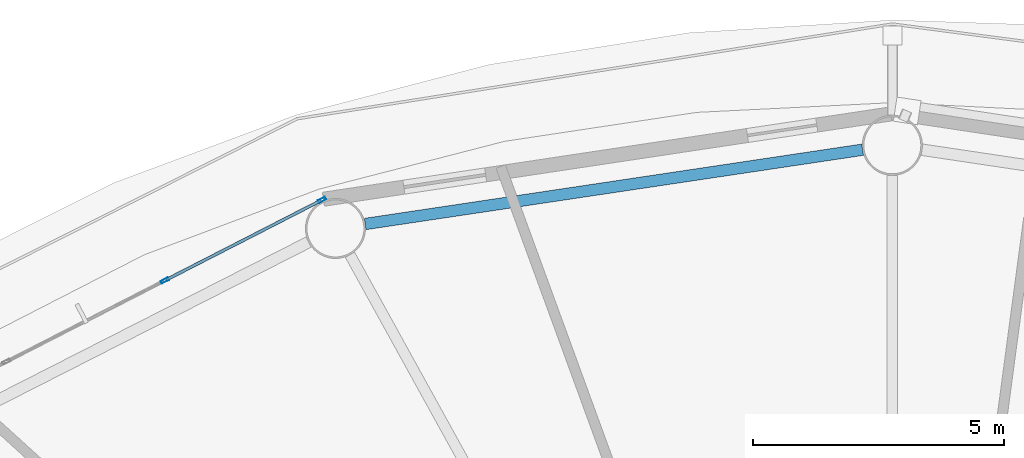
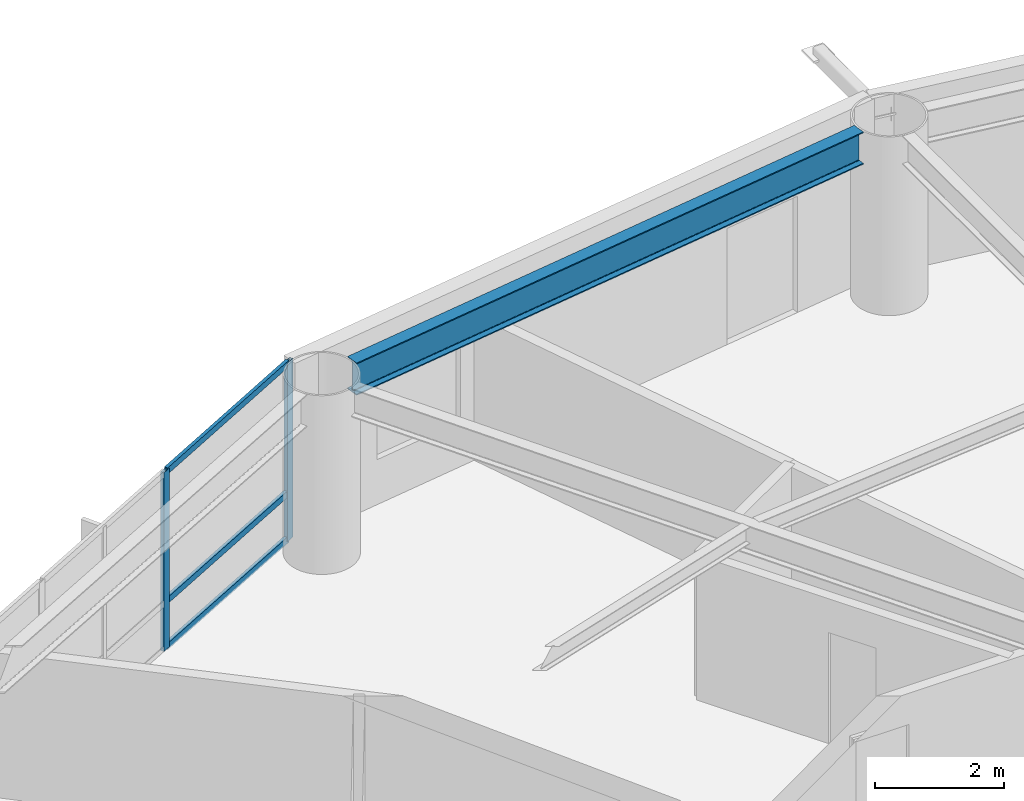
# One storey, part 10 of 24: 5 members, 1 beam, 1 element without a shape of its own.
"""IFC4 building model written with IfcOpenShell, lengths in metres."""

from ifc_helpers import new_model, si_unit, direction, frame, origin, origin_2d, place, context, subcontext, project, spatial, hollow_rectangle, i_section, extrude, material, layer, layer_set, material_profile, profile_set, type_object, element, aggregate, save


model = new_model("IFC4")

# Units and contexts
model_context = context("Model", 3, precision=1e-05, world=origin(), true_north=direction((0.0, 1.0)))
body_context = subcontext(model_context, "Body", "Model", "MODEL_VIEW")
ifc_project = project(units=[si_unit("LENGTHUNIT", "METRE"), si_unit("AREAUNIT", "SQUARE_METRE"), si_unit("VOLUMEUNIT", "CUBIC_METRE"), si_unit("PLANEANGLEUNIT", "RADIAN"), si_unit("MASSUNIT", "GRAM", prefix="KILO")], contexts=[model_context])

# Site, building, storey
site_placement = place(None, origin())
site = spatial("IfcSite", under=ifc_project, at=site_placement, CompositionType="ELEMENT")
building_placement = place(site_placement, origin())
building = spatial("IfcBuilding", under=site, at=building_placement, Name="Sarneth Arch Tower", CompositionType="ELEMENT")
storey_placement = place(building_placement, frame((0.0, 0.0, 112.800048828125)))
storey = spatial("IfcBuildingStorey", under=building, at=storey_placement, Name="L28", CompositionType="ELEMENT", Elevation=112.800048828125)

# Beam
ifc_material_1 = material(Name="Steel S355", Category="steel")
ifc_material_profile_1 = material_profile(ifc_material_1, i_section(OverallWidth=0.22900390625, OverallDepth=0.612060546875, WebThickness=0.011962890625, FlangeThickness=0.01953125, FilletRadius=0.01904296875, at=origin_2d()), Name="W610x125")
ifc_profile_set_1 = profile_set([ifc_material_profile_1], Name="Steel S355")
beam_type = type_object("IfcBeamType", Name="BM-SPAN-610C", PredefinedType="SPANDREL", material=ifc_profile_set_1)
beam_placement = place(storey_placement, frame((47.406494140625, 63.71142578125, 3.073974609375), z_axis=(-0.989028613319, -0.147724073992, 0.0), x_axis=(0.147724073992, -0.989028613319, 0.0)))
element("IfcBeam", 1, at=beam_placement, inside=storey, type_object=beam_type, Name="L28 Perimeter spandrel beam 05", PredefinedType="SPANDREL", context=body_context, shape_type="SweptSolid", body=[
    extrude(i_section(OverallWidth=0.22900390625, OverallDepth=0.612060546875, WebThickness=0.011962890625, FlangeThickness=0.01953125, FilletRadius=0.01904296875, at=origin_2d()), origin(), (0.0, 0.0, 1.0), 10.033447265625),
])

# Curtain wall, members
ifc_material_2 = material(Name="Anodised aluminium Type AA25 and solar-control low-e laminated IGU", Category="aluminium")
ifc_layer = layer(ifc_material_2, 0.159912109375)
ifc_layer_set = layer_set([ifc_layer], Name="Anodised aluminium Type AA25 and solar-control low-e laminated IGU")
curtain_wall_type = type_object("IfcCurtainWallType", Name="CW-HOTEL-MID", PredefinedType="NOTDEFINED", material=ifc_layer_set)
curtain_wall_placement = place(storey_placement, origin())
curtain_wall = element("IfcCurtainWall", 2, at=curtain_wall_placement, inside=storey, type_object=curtain_wall_type, Name="L28 Unitised curtain wall facet 06", PredefinedType="NOTDEFINED")
ifc_material_3 = material(Name="Anodised Aluminium 6063-T6", Category="aluminium")
ifc_material_profile_2 = material_profile(ifc_material_3, hollow_rectangle(XDim=0.06005859375, YDim=0.159912109375, WallThickness=0.00390625, at=origin_2d()), Name="AL-MULL-160x60x4")
ifc_profile_set_2 = profile_set([ifc_material_profile_2], Name="Anodised Aluminium 6063-T6")
member_type_1 = type_object("IfcMemberType", Name="CW-MULLION", PredefinedType="MULLION", material=ifc_profile_set_2)
member_1_placement = place(storey_placement, frame((36.6220703125, 62.708984375, 0.0), z_axis=(0.0, 0.0, 1.0), x_axis=(0.456031365356, -0.889963703649, 0.0)))
member_1 = element("IfcMember", 3, at=member_1_placement, type_object=member_type_1, Name="CW-SYS-4 mullion 1", PredefinedType="MULLION", context=body_context, shape_type="SweptSolid", body=[
    extrude(hollow_rectangle(XDim=0.06005859375, YDim=0.159912109375, WallThickness=0.00390625, at=origin_2d()), origin(), (0.0, 0.0, 1.0), 3.3798828125),
])
member_2_placement = place(storey_placement, frame((33.48583984375, 61.101806640625, 0.0), z_axis=(0.0, 0.0, 1.0), x_axis=(0.456031365356, -0.889963703649, 0.0)))
member_2 = element("IfcMember", 4, at=member_2_placement, type_object=member_type_1, Name="CW-SYS-4 mullion 2", PredefinedType="MULLION", context=body_context, shape_type="SweptSolid", body=[
    extrude(hollow_rectangle(XDim=0.06005859375, YDim=0.159912109375, WallThickness=0.00390625, at=origin_2d()), origin(), (0.0, 0.0, 1.0), 3.3798828125),
])
ifc_material_4 = material(Name="Anodised Aluminium 6063-T6", Category="aluminium")
ifc_material_profile_3 = material_profile(ifc_material_4, hollow_rectangle(XDim=0.06005859375, YDim=0.1201171875, WallThickness=0.00390625, at=origin_2d()), Name="AL-TRAN-120x60x4")
ifc_profile_set_3 = profile_set([ifc_material_profile_3], Name="Anodised Aluminium 6063-T6")
member_type_2 = type_object("IfcMemberType", Name="CW-TRANSOM", PredefinedType="USERDEFINED", material=ifc_profile_set_3)
member_3_placement = place(storey_placement, frame((36.595458984375, 62.6953125, 0.030029296875), z_axis=(-0.889957563627, -0.456043347658, 0.0), x_axis=(0.456043347658, -0.889957563627, 0.0)))
member_3 = element("IfcMember", 5, at=member_3_placement, type_object=member_type_2, Name="CW-SYS-4 transom 1.1", ObjectType="TRANSOM", PredefinedType="USERDEFINED", context=body_context, shape_type="SweptSolid", body=[
    extrude(hollow_rectangle(XDim=0.06005859375, YDim=0.1201171875, WallThickness=0.00390625, at=origin_2d()), origin(), (0.0, 0.0, 1.0), 3.464111328125),
])
member_4_placement = place(storey_placement, frame((36.595458984375, 62.6953125, 0.89990234375), z_axis=(-0.889957563627, -0.456043347658, 0.0), x_axis=(0.456043347658, -0.889957563627, 0.0)))
member_4 = element("IfcMember", 6, at=member_4_placement, type_object=member_type_2, Name="CW-SYS-4 transom 1.2", ObjectType="TRANSOM", PredefinedType="USERDEFINED", context=body_context, shape_type="SweptSolid", body=[
    extrude(hollow_rectangle(XDim=0.06005859375, YDim=0.1201171875, WallThickness=0.00390625, at=origin_2d()), origin(), (0.0, 0.0, 1.0), 3.464111328125),
])
member_5_placement = place(storey_placement, frame((36.595458984375, 62.6953125, 3.349853515625), z_axis=(-0.889957563627, -0.456043347658, 0.0), x_axis=(0.456043347658, -0.889957563627, 0.0)))
member_5 = element("IfcMember", 7, at=member_5_placement, type_object=member_type_2, Name="CW-SYS-4 transom 1.3", ObjectType="TRANSOM", PredefinedType="USERDEFINED", context=body_context, shape_type="SweptSolid", body=[
    extrude(hollow_rectangle(XDim=0.06005859375, YDim=0.1201171875, WallThickness=0.00390625, at=origin_2d()), origin(), (0.0, 0.0, 1.0), 3.464111328125),
])
aggregate(curtain_wall, [member_1, member_2, member_3, member_4, member_5])

save(model, "model.ifc")
